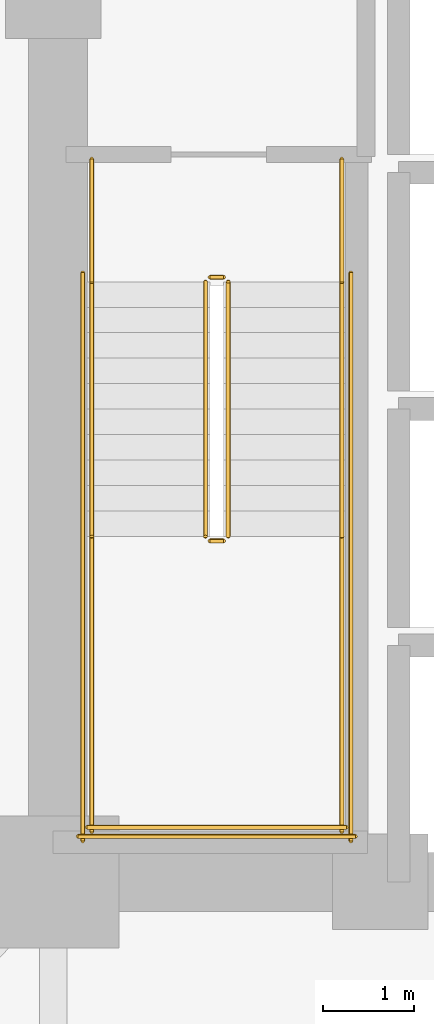
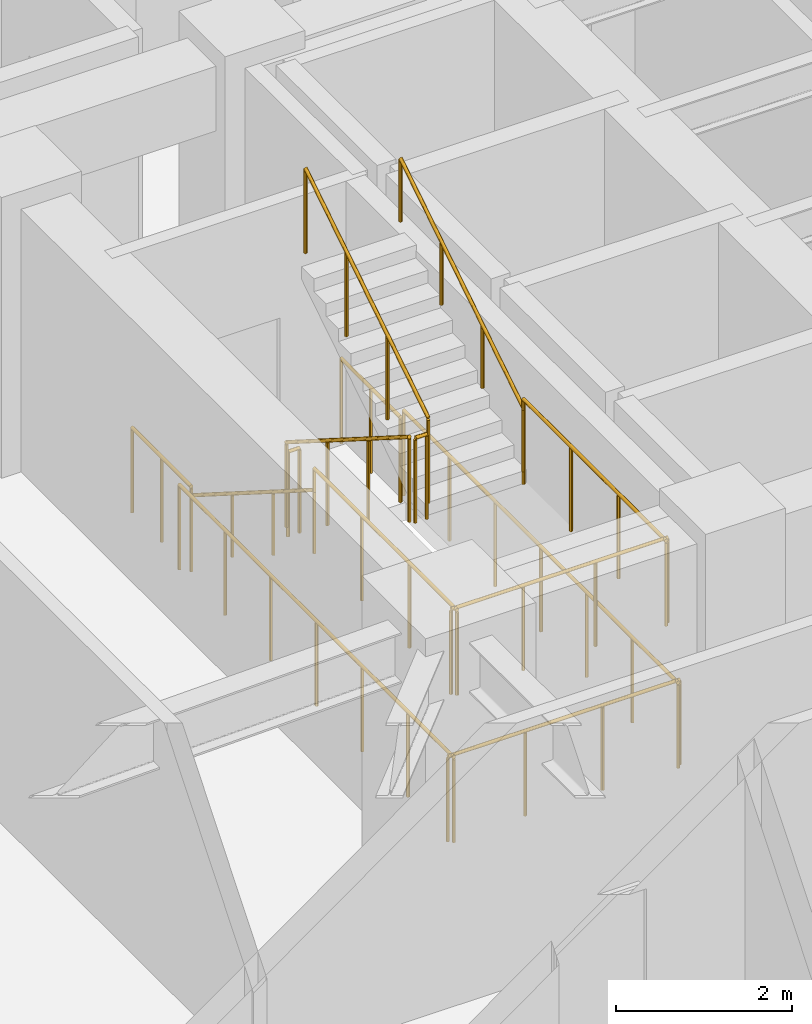
# One storey, part 10 of 11: 14 railings.
"""IFC4 building model written with IfcOpenShell, lengths in metres."""

from ifc_helpers import new_model, si_unit, direction, frame, origin, origin_2d, place, context, subcontext, project, spatial, circle, extrude, material, type_object, element, save


model = new_model("IFC4")

# Units and contexts
model_context = context("Model", 3, precision=1e-05, world=origin(), true_north=direction((0.0, 1.0)))
body_context = subcontext(model_context, "Body", "Model", "MODEL_VIEW")
ifc_project = project(units=[si_unit("LENGTHUNIT", "METRE"), si_unit("AREAUNIT", "SQUARE_METRE"), si_unit("VOLUMEUNIT", "CUBIC_METRE"), si_unit("PLANEANGLEUNIT", "RADIAN"), si_unit("MASSUNIT", "GRAM", prefix="KILO")], contexts=[model_context])

# Site, building, storey
site_placement = place(None, origin())
site = spatial("IfcSite", under=ifc_project, at=site_placement, CompositionType="ELEMENT")
building_placement = place(site_placement, origin())
building = spatial("IfcBuilding", under=site, at=building_placement, Name="Voryun Gate Residences", CompositionType="ELEMENT")
storey_placement = place(building_placement, frame((0.0, 0.0, 49.39990234375)))
storey = spatial("IfcBuildingStorey", under=building, at=storey_placement, Name="L11", CompositionType="ELEMENT", Elevation=49.39990234375)

# Railings
ifc_material_1 = material(Name="Painted steel", Category="steel")
railing_type_1 = type_object("IfcRailingType", Name="RAIL_STAIR_GUARD_1200", PredefinedType="GUARDRAIL", material=ifc_material_1)
railing_1_placement = place(storey_placement, frame((-17.52490234375, -0.800048828125, 0.177490234375)))
element("IfcRailing", 1, at=railing_1_placement, inside=storey, type_object=railing_type_1, Name="L11 ST-W1 stair guard 1", PredefinedType="GUARDRAIL", context=body_context, shape_type="SweptSolid", body=[
    extrude(circle(Radius=0.02392578125, at=origin_2d()), frame((0.0, 0.0, 1.17578125), z_axis=(0.0, -0.844908973607, 0.534910110503), x_axis=(1.0, 0.0, 0.0)), (0.0, 0.0, 1.0), 3.31396484375),
    extrude(circle(Radius=0.02099609375, at=origin_2d()), origin(), (0.0, 0.0, 1.0), 1.15185546875),
    extrude(circle(Radius=0.02099609375, at=origin_2d()), frame((0.0, -0.933349609375, 0.5908203125)), (0.0, 0.0, 1.0), 1.15185546875),
    extrude(circle(Radius=0.02099609375, at=origin_2d()), frame((0.0, -1.86669921875, 1.181884765625)), (0.0, 0.0, 1.0), 1.15185546875),
    extrude(circle(Radius=0.02099609375, at=origin_2d()), frame((0.0, -2.800048828125, 1.772705078125)), (0.0, 0.0, 1.0), 1.15185546875),
])
railing_2_placement = place(storey_placement, frame((-17.47509765625, -3.64990234375, 1.9501953125)))
element("IfcRailing", 2, at=railing_2_placement, inside=storey, type_object=railing_type_1, Name="L11 ST-W1 stair guard 2", PredefinedType="GUARDRAIL", context=body_context, shape_type="SweptSolid", body=[
    extrude(circle(Radius=0.02392578125, at=origin_2d()), frame((0.0, 0.0, 1.17578125), z_axis=(1.0, 0.0, 0.0), x_axis=(0.0, 1.0, 0.0)), (0.0, 0.0, 1.0), 0.150146484375),
    extrude(circle(Radius=0.02099609375, at=origin_2d()), origin(), (0.0, 0.0, 1.0), 1.15185546875),
    extrude(circle(Radius=0.02099609375, at=origin_2d()), frame((0.150146484375, 0.0, 0.0)), (0.0, 0.0, 1.0), 1.15185546875),
])
for number, where, name in (
    (3, (-18.77490234375, -3.60009765625, 1.9501953125), "L11 ST-W1 stair guard 3"),
    (4, (-16.02490234375, -3.60009765625, 1.9501953125), "L11 ST-W1 stair guard 4"),
):
    element("IfcRailing", number, at=place(storey_placement, frame(where)), inside=storey, type_object=railing_type_1, Name=name, PredefinedType="GUARDRAIL", context=body_context, shape_type="SweptSolid", body=[
        extrude(circle(Radius=0.02392578125, at=origin_2d()), frame((0.0, 0.0, 1.17578125), z_axis=(0.0, -1.0, 0.0), x_axis=(1.0, 0.0, 0.0)), (0.0, 0.0, 1.0), 3.25),
        extrude(circle(Radius=0.02099609375, at=origin_2d()), origin(), (0.0, 0.0, 1.0), 1.15185546875),
        extrude(circle(Radius=0.02099609375, at=origin_2d()), frame((0.0, -1.083251953125, 0.0)), (0.0, 0.0, 1.0), 1.15185546875),
        extrude(circle(Radius=0.02099609375, at=origin_2d()), frame((0.0, -2.166748046875, 0.0)), (0.0, 0.0, 1.0), 1.15185546875),
        extrude(circle(Radius=0.02099609375, at=origin_2d()), frame((0.0, -3.25, 0.0)), (0.0, 0.0, 1.0), 1.15185546875),
    ])
railing_3_placement = place(storey_placement, frame((-18.824951171875, -6.800048828125, 1.9501953125)))
element("IfcRailing", 5, at=railing_3_placement, inside=storey, type_object=railing_type_1, Name="L11 ST-W1 stair guard 5", PredefinedType="GUARDRAIL", context=body_context, shape_type="SweptSolid", body=[
    extrude(circle(Radius=0.02392578125, at=origin_2d()), frame((0.0, 0.0, 1.17578125), z_axis=(1.0, 0.0, 0.0), x_axis=(0.0, 1.0, 0.0)), (0.0, 0.0, 1.0), 2.849853515625),
    extrude(circle(Radius=0.02099609375, at=origin_2d()), origin(), (0.0, 0.0, 1.0), 1.15185546875),
    extrude(circle(Radius=0.02099609375, at=origin_2d()), frame((0.949951171875, 0.0, 0.0)), (0.0, 0.0, 1.0), 1.15185546875),
    extrude(circle(Radius=0.02099609375, at=origin_2d()), frame((1.89990234375, 0.0, 0.0)), (0.0, 0.0, 1.0), 1.15185546875),
    extrude(circle(Radius=0.02099609375, at=origin_2d()), frame((2.849853515625, 0.0, 0.0)), (0.0, 0.0, 1.0), 1.15185546875),
])
railing_4_placement = place(storey_placement, frame((-17.27490234375, -3.60009765625, 2.12744140625)))
element("IfcRailing", 6, at=railing_4_placement, inside=storey, type_object=railing_type_1, Name="L11 ST-W1 stair guard 6", PredefinedType="GUARDRAIL", context=body_context, shape_type="SweptSolid", body=[
    extrude(circle(Radius=0.02392578125, at=origin_2d()), frame((0.0, 0.0, 1.17578125), z_axis=(0.0, 0.844908973607, 0.534910110503), x_axis=(-1.0, 0.0, 0.0)), (0.0, 0.0, 1.0), 3.31396484375),
    extrude(circle(Radius=0.02099609375, at=origin_2d()), origin(), (0.0, 0.0, 1.0), 1.15185546875),
    extrude(circle(Radius=0.02099609375, at=origin_2d()), frame((0.0, 0.933349609375, 0.5908203125)), (0.0, 0.0, 1.0), 1.15185546875),
    extrude(circle(Radius=0.02099609375, at=origin_2d()), frame((0.0, 1.86669921875, 1.181884765625)), (0.0, 0.0, 1.0), 1.15185546875),
    extrude(circle(Radius=0.02099609375, at=origin_2d()), frame((0.0, 2.800048828125, 1.772705078125)), (0.0, 0.0, 1.0), 1.15185546875),
])
railing_5_placement = place(storey_placement, frame((-17.47509765625, -0.75, 0.0)))
element("IfcRailing", 7, at=railing_5_placement, inside=storey, type_object=railing_type_1, Name="L11 ST-W1 stair guard 7", PredefinedType="GUARDRAIL", context=body_context, shape_type="SweptSolid", body=[
    extrude(circle(Radius=0.02392578125, at=origin_2d()), frame((0.0, 0.0, 1.17578125), z_axis=(1.0, 0.0, 0.0), x_axis=(0.0, 1.0, 0.0)), (0.0, 0.0, 1.0), 0.150146484375),
    extrude(circle(Radius=0.02099609375, at=origin_2d()), origin(), (0.0, 0.0, 1.0), 1.15185546875),
    extrude(circle(Radius=0.02099609375, at=origin_2d()), frame((0.150146484375, 0.0, 0.0)), (0.0, 0.0, 1.0), 1.15185546875),
])
for number, where, name in (
    (8, (-18.77490234375, 0.550048828125, 0.0), "L11 ST-W1 stair guard 8"),
    (9, (-16.02490234375, 0.550048828125, 0.0), "L11 ST-W1 stair guard 9"),
):
    element("IfcRailing", number, at=place(storey_placement, frame(where)), inside=storey, type_object=railing_type_1, Name=name, PredefinedType="GUARDRAIL", context=body_context, shape_type="SweptSolid", body=[
        extrude(circle(Radius=0.02392578125, at=origin_2d()), frame((0.0, 0.0, 1.17578125), z_axis=(0.0, -1.0, 0.0), x_axis=(1.0, 0.0, 0.0)), (0.0, 0.0, 1.0), 1.35009765625),
        extrude(circle(Radius=0.02099609375, at=origin_2d()), origin(), (0.0, 0.0, 1.0), 1.15185546875),
        extrude(circle(Radius=0.02099609375, at=origin_2d()), frame((0.0, -0.675048828125, 0.0)), (0.0, 0.0, 1.0), 1.15185546875),
        extrude(circle(Radius=0.02099609375, at=origin_2d()), frame((0.0, -1.35009765625, 0.0)), (0.0, 0.0, 1.0), 1.15185546875),
    ])
for number, where, name in (
    (10, (-18.875, -0.699951171875, 0.0), "L11 ST-W1 stair guard 10"),
    (11, (-15.925048828125, -0.699951171875, 0.0), "L11 ST-W1 stair guard 11"),
):
    element("IfcRailing", number, at=place(storey_placement, frame(where)), inside=storey, type_object=railing_type_1, Name=name, PredefinedType="GUARDRAIL", context=body_context, shape_type="SweptSolid", body=[
        extrude(circle(Radius=0.02392578125, at=origin_2d()), frame((0.0, 0.0, 1.17578125), z_axis=(0.0, -1.0, 0.0), x_axis=(1.0, 0.0, 0.0)), (0.0, 0.0, 1.0), 6.25),
        extrude(circle(Radius=0.02099609375, at=origin_2d()), origin(), (0.0, 0.0, 1.0), 1.15185546875),
        extrude(circle(Radius=0.02099609375, at=origin_2d()), frame((0.0, -1.041748046875, 0.0)), (0.0, 0.0, 1.0), 1.15185546875),
        extrude(circle(Radius=0.02099609375, at=origin_2d()), frame((0.0, -2.083251953125, 0.0)), (0.0, 0.0, 1.0), 1.15185546875),
        extrude(circle(Radius=0.02099609375, at=origin_2d()), frame((0.0, -3.125, 0.0)), (0.0, 0.0, 1.0), 1.15185546875),
        extrude(circle(Radius=0.02099609375, at=origin_2d()), frame((0.0, -4.166748046875, 0.0)), (0.0, 0.0, 1.0), 1.15185546875),
        extrude(circle(Radius=0.02099609375, at=origin_2d()), frame((0.0, -5.208251953125, 0.0)), (0.0, 0.0, 1.0), 1.15185546875),
        extrude(circle(Radius=0.02099609375, at=origin_2d()), frame((0.0, -6.25, 0.0)), (0.0, 0.0, 1.0), 1.15185546875),
    ])
railing_6_placement = place(storey_placement, frame((-18.925048828125, -6.89990234375, 0.0)))
element("IfcRailing", 12, at=railing_6_placement, inside=storey, type_object=railing_type_1, Name="L11 ST-W1 stair guard 12", PredefinedType="GUARDRAIL", context=body_context, shape_type="SweptSolid", body=[
    extrude(circle(Radius=0.02392578125, at=origin_2d()), frame((0.0, 0.0, 1.17578125), z_axis=(1.0, 0.0, 0.0), x_axis=(0.0, 1.0, 0.0)), (0.0, 0.0, 1.0), 3.050048828125),
    extrude(circle(Radius=0.02099609375, at=origin_2d()), origin(), (0.0, 0.0, 1.0), 1.15185546875),
    extrude(circle(Radius=0.02099609375, at=origin_2d()), frame((1.0166015625, 0.0, 0.0)), (0.0, 0.0, 1.0), 1.15185546875),
    extrude(circle(Radius=0.02099609375, at=origin_2d()), frame((2.033447265625, 0.0, 0.0)), (0.0, 0.0, 1.0), 1.15185546875),
    extrude(circle(Radius=0.02099609375, at=origin_2d()), frame((3.050048828125, 0.0, 0.0)), (0.0, 0.0, 1.0), 1.15185546875),
])
ifc_material_2 = material(Name="Painted steel", Category="steel")
railing_type_2 = type_object("IfcRailingType", Name="RAIL_STAIR_HANDRAIL_900", PredefinedType="HANDRAIL", material=ifc_material_2)
railing_7_placement = place(storey_placement, frame((-18.77490234375, -0.800048828125, 0.177490234375)))
element("IfcRailing", 13, at=railing_7_placement, inside=storey, type_object=railing_type_2, Name="L11 ST-W1 stair handrail 1", PredefinedType="HANDRAIL", context=body_context, shape_type="SweptSolid", body=[
    extrude(circle(Radius=0.02392578125, at=origin_2d()), frame((0.0, 0.0, 0.8759765625), z_axis=(0.0, -0.844908973607, 0.534910110503), x_axis=(1.0, 0.0, 0.0)), (0.0, 0.0, 1.0), 3.31396484375),
    extrude(circle(Radius=0.02099609375, at=origin_2d()), origin(), (0.0, 0.0, 1.0), 0.851806640625),
    extrude(circle(Radius=0.02099609375, at=origin_2d()), frame((0.0, -0.933349609375, 0.5908203125)), (0.0, 0.0, 1.0), 0.851806640625),
    extrude(circle(Radius=0.02099609375, at=origin_2d()), frame((0.0, -1.86669921875, 1.181884765625)), (0.0, 0.0, 1.0), 0.851806640625),
    extrude(circle(Radius=0.02099609375, at=origin_2d()), frame((0.0, -2.800048828125, 1.772705078125)), (0.0, 0.0, 1.0), 0.851806640625),
])
railing_8_placement = place(storey_placement, frame((-16.02490234375, -3.60009765625, 2.12744140625)))
element("IfcRailing", 14, at=railing_8_placement, inside=storey, type_object=railing_type_2, Name="L11 ST-W1 stair handrail 2", PredefinedType="HANDRAIL", context=body_context, shape_type="SweptSolid", body=[
    extrude(circle(Radius=0.02392578125, at=origin_2d()), frame((0.0, 0.0, 0.8759765625), z_axis=(0.0, 0.844908973607, 0.534910110503), x_axis=(-1.0, 0.0, 0.0)), (0.0, 0.0, 1.0), 3.31396484375),
    extrude(circle(Radius=0.02099609375, at=origin_2d()), origin(), (0.0, 0.0, 1.0), 0.851806640625),
    extrude(circle(Radius=0.02099609375, at=origin_2d()), frame((0.0, 0.933349609375, 0.5908203125)), (0.0, 0.0, 1.0), 0.851806640625),
    extrude(circle(Radius=0.02099609375, at=origin_2d()), frame((0.0, 1.86669921875, 1.181884765625)), (0.0, 0.0, 1.0), 0.851806640625),
    extrude(circle(Radius=0.02099609375, at=origin_2d()), frame((0.0, 2.800048828125, 1.772705078125)), (0.0, 0.0, 1.0), 0.851806640625),
])

save(model, "model.ifc")
